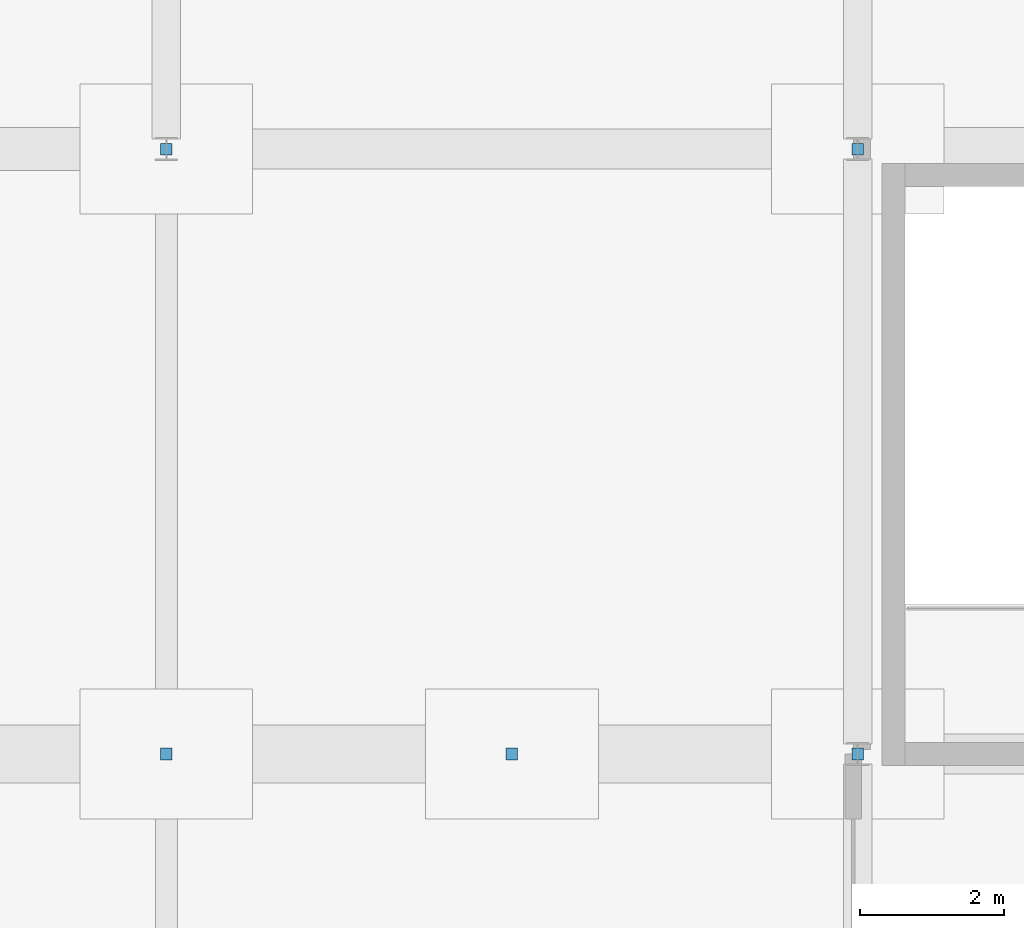
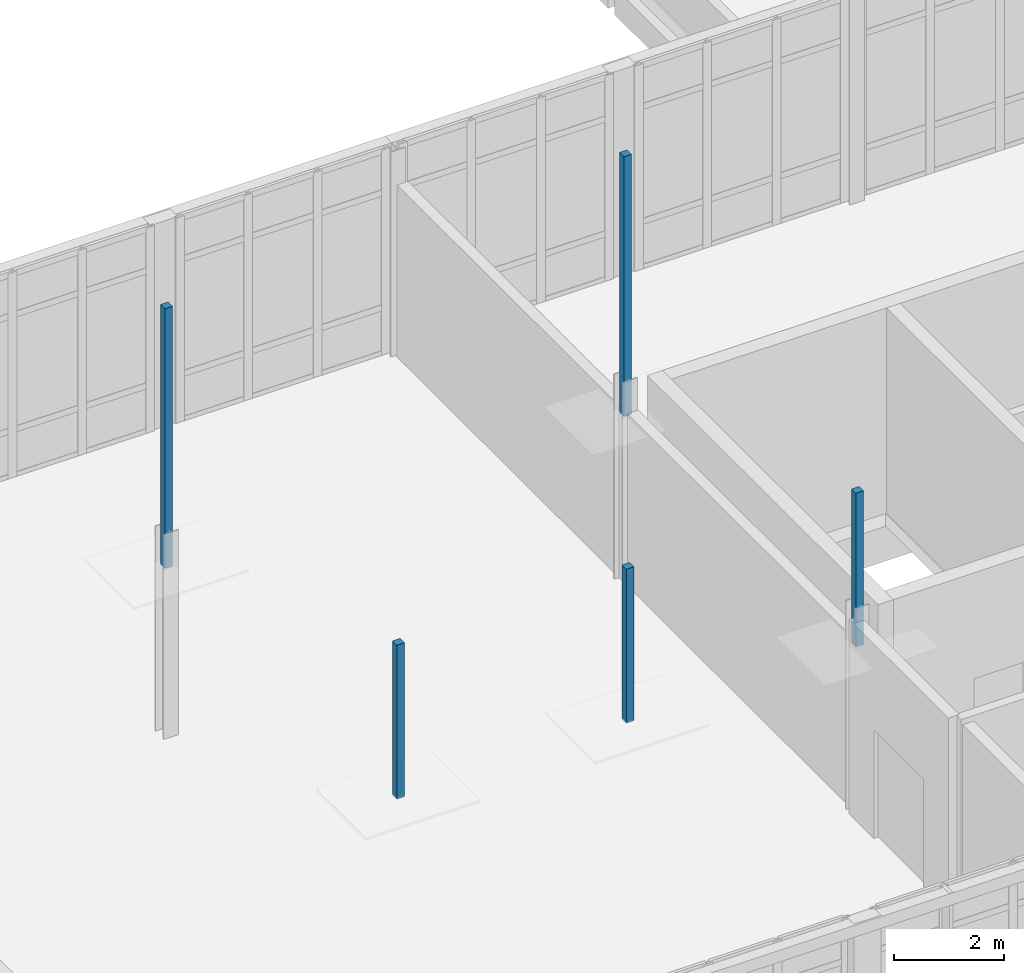
# One storey, part 82 of 88: 5 discrete accessories.
"""IFC4 building model written with IfcOpenShell, lengths in metres."""

from ifc_helpers import new_model, si_unit, direction, frame, origin, origin_2d, place, context, subcontext, project, spatial, rectangle, extrude, material, layer, layer_set, type_object, element, save


model = new_model("IFC4")

# Units and contexts
model_context = context("Model", 3, precision=1e-05, world=origin(), true_north=direction((0.0, 1.0)))
body_context = subcontext(model_context, "Body", "Model", "MODEL_VIEW")
ifc_project = project(units=[si_unit("LENGTHUNIT", "METRE"), si_unit("AREAUNIT", "SQUARE_METRE"), si_unit("VOLUMEUNIT", "CUBIC_METRE"), si_unit("PLANEANGLEUNIT", "RADIAN"), si_unit("MASSUNIT", "GRAM", prefix="KILO")], contexts=[model_context])

# Site, building, storey
site_placement = place(None, origin())
site = spatial("IfcSite", under=ifc_project, at=site_placement, CompositionType="ELEMENT")
building_placement = place(site_placement, origin())
building = spatial("IfcBuilding", under=site, at=building_placement, Name="Lornevale Opera House", CompositionType="ELEMENT")
storey_placement = place(building_placement, frame((0.0, 0.0, 10.199951171875)))
storey = spatial("IfcBuildingStorey", under=building, at=storey_placement, Name="L03", CompositionType="ELEMENT", Elevation=10.199951171875)

# Discrete accessories
ifc_material = material(Name="Structural Steel CSA G40.21 Grade 350W (350 MPa)", Category="steel")
ifc_layer = layer(ifc_material, 0.89990234375)
ifc_layer_set = layer_set([ifc_layer], Name="Structural Steel CSA G40.21 Grade 350W (350 MPa)")
discrete_accessory_type = type_object("IfcDiscreteAccessoryType", Name="Acoustic Hanger Bracket", PredefinedType="BRACKET", material=ifc_layer_set)
for number, where, z_axis, x_axis, name in (
    (1, (9.60009765625, 8.39990234375, 3.7001953125), (0.0, 0.0, 1.0), (1.0, 0.0, 0.0), "Chamber Acoustic Bracket AC-010"),
    (2, (19.199951171875, 8.39990234375, 3.7001953125), (0.0, 0.0, 1.0), (1.0, 0.0, 0.0), "Chamber Acoustic Bracket AC-011"),
):
    element("IfcDiscreteAccessory", number, at=place(storey_placement, frame(where, z_axis=z_axis, x_axis=x_axis)), inside=storey, type_object=discrete_accessory_type, Name=name, PredefinedType="BRACKET", context=body_context, shape_type="SweptSolid", body=[
        extrude(rectangle(XDim=0.159912109375, YDim=0.159912109375, at=origin_2d()), origin(), (0.0, 0.0, 1.0), 3.39990234375),
    ])
for number, where, z_axis, x_axis, name in (
    (3, (9.60009765625, 16.800048828125, 3.699951171875), (0.0, 0.0, 1.0), (1.0, 0.0, 0.0), "Chamber Acoustic Bracket AC-012"),
    (4, (19.199951171875, 16.800048828125, 3.699951171875), (0.0, 0.0, 1.0), (1.0, 0.0, 0.0), "Chamber Acoustic Bracket AC-013"),
):
    element("IfcDiscreteAccessory", number, at=place(storey_placement, frame(where, z_axis=z_axis, x_axis=x_axis)), inside=storey, type_object=discrete_accessory_type, Name=name, PredefinedType="BRACKET", context=body_context, shape_type="SweptSolid", body=[
        extrude(rectangle(XDim=0.159912109375, YDim=0.159912109375, at=origin_2d()), origin(), (0.0, 0.0, 1.0), 5.75),
    ])
discrete_accessory_placement = place(storey_placement, frame((14.39990234375, 8.39990234375, 3.7001953125), z_axis=(0.0, 0.0, 1.0), x_axis=(1.0, 0.0, 0.0)))
element("IfcDiscreteAccessory", 5, at=discrete_accessory_placement, inside=storey, type_object=discrete_accessory_type, Name="Chamber Acoustic Bracket AC-014", PredefinedType="BRACKET", context=body_context, shape_type="SweptSolid", body=[
    extrude(rectangle(XDim=0.159912109375, YDim=0.159912109375, at=origin_2d()), origin(), (0.0, 0.0, 1.0), 3.39990234375),
])

save(model, "model.ifc")
